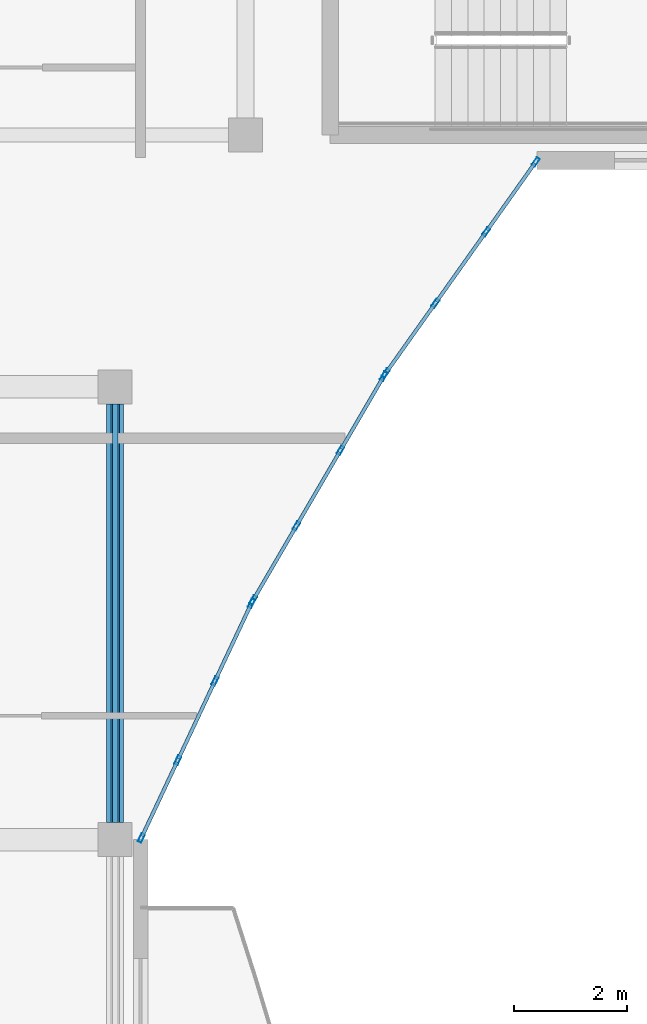
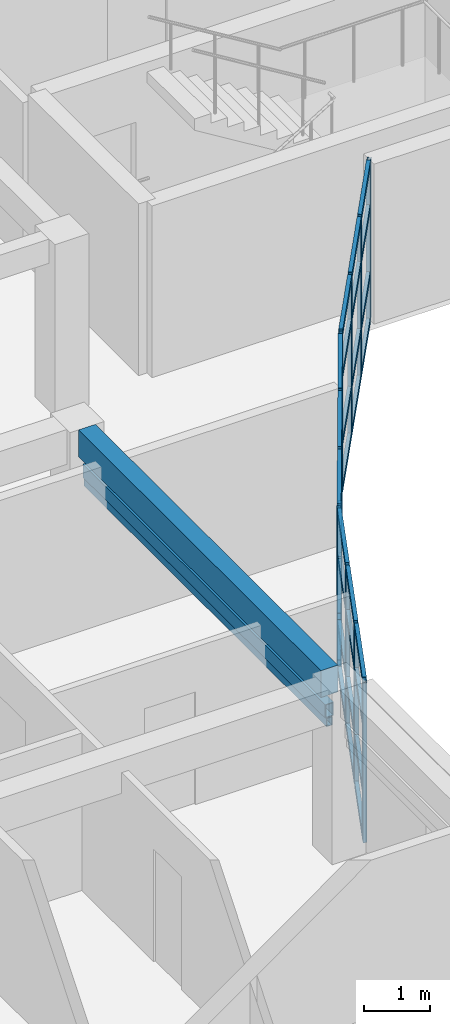
# One storey, part 3 of 76: 50 members, 1 beam, 3 elements without a shape of their own.
"""IFC4 building model written with IfcOpenShell, lengths in metres."""

from ifc_helpers import new_model, si_unit, direction, frame, origin, origin_2d, place, context, subcontext, project, spatial, rectangle, hollow_rectangle, extrude, material, layer, layer_set, material_profile, profile_set, type_object, element, aggregate, save


model = new_model("IFC4")

# Units and contexts
model_context = context("Model", 3, precision=1e-05, world=origin(), true_north=direction((0.0, 1.0)))
body_context = subcontext(model_context, "Body", "Model", "MODEL_VIEW")
ifc_project = project(units=[si_unit("LENGTHUNIT", "METRE"), si_unit("AREAUNIT", "SQUARE_METRE"), si_unit("VOLUMEUNIT", "CUBIC_METRE"), si_unit("PLANEANGLEUNIT", "RADIAN"), si_unit("MASSUNIT", "GRAM", prefix="KILO")], contexts=[model_context])

# Site, building, storey
site_placement = place(None, origin())
site = spatial("IfcSite", under=ifc_project, at=site_placement, CompositionType="ELEMENT")
building_placement = place(site_placement, origin())
building = spatial("IfcBuilding", under=site, at=building_placement, Name="Keldmere Railside Commons", CompositionType="ELEMENT")
storey_placement = place(building_placement, frame((0.0, 0.0, 13.760009765625)))
storey = spatial("IfcBuildingStorey", under=building, at=storey_placement, Name="L04", CompositionType="ELEMENT", Elevation=13.760009765625)

# Member
ifc_material_1 = material(Name="Steel F-36 (S355)", Category="steel")
ifc_material_profile_1 = material_profile(ifc_material_1, hollow_rectangle(XDim=0.14990234375, YDim=0.25, WallThickness=0.010009765625, at=origin_2d()), Name="RHS-250x150x10")
ifc_profile_set_1 = profile_set([ifc_material_profile_1], Name="Steel F-36 (S355)")
member_type_1 = type_object("IfcMemberType", Name="Balcony Continuous Planted Trough RHS250x150", PredefinedType="CHORD", material=ifc_profile_set_1)
member_1_placement = place(storey_placement, frame((23.550048828125, 88.300048828125, 2.4150390625), z_axis=(0.0, 1.0, 0.0), x_axis=(-1.0, 0.0, 0.0)))
element("IfcMember", 1, at=member_1_placement, inside=storey, type_object=member_type_1, Name="PLT-1 MEM-BPLT-0471", PredefinedType="CHORD", context=body_context, shape_type="SweptSolid", body=[
    extrude(hollow_rectangle(XDim=0.14990234375, YDim=0.25, WallThickness=0.010009765625, at=origin_2d()), origin(), (0.0, 0.0, 1.0), 7.39990234375),
])

# Beam
ifc_material_2 = material(Name="Concrete H-30 (C30/37)", Category="concrete")
ifc_material_profile_2 = material_profile(ifc_material_2, rectangle(XDim=0.300048828125, YDim=0.5, at=origin_2d()), Name="RC-300x500")
ifc_profile_set_2 = profile_set([ifc_material_profile_2], Name="Concrete H-30 (C30/37)")
beam_type = type_object("IfcBeamType", Name="Secondary Frame RC Beam 300x500", PredefinedType="BEAM", material=ifc_profile_set_2)
beam_placement = place(storey_placement, frame((23.550048828125, 88.300048828125, 2.949951171875), z_axis=(0.0, 1.0, 0.0), x_axis=(-1.0, 0.0, 0.0)))
element("IfcBeam", 2, at=beam_placement, inside=storey, type_object=beam_type, Name="BG-5 BM-L04-1617", PredefinedType="BEAM", context=body_context, shape_type="SweptSolid", body=[
    extrude(rectangle(XDim=0.300048828125, YDim=0.5, at=origin_2d()), origin(), (0.0, 0.0, 1.0), 7.39990234375),
])

# Member
ifc_material_profile_3 = material_profile(ifc_material_1, hollow_rectangle(XDim=0.10009765625, YDim=0.159912109375, WallThickness=0.008056640625, at=origin_2d()), Name="RHS-160x100x8")
ifc_profile_set_3 = profile_set([ifc_material_profile_3], Name="Steel F-36 (S355)")
member_type_2 = type_object("IfcMemberType", Name="Solar Brise-Soleil Louvre Fin RHS160x100", PredefinedType="STRUT", material=ifc_profile_set_3)
member_2_placement = place(storey_placement, frame((23.550048828125, 88.300048828125, 2.199951171875), z_axis=(0.0, 1.0, 0.0), x_axis=(-1.0, 0.0, 0.0)))
element("IfcMember", 3, at=member_2_placement, inside=storey, type_object=member_type_2, Name="BSF-1 MEM-BSF-0472", PredefinedType="STRUT", context=body_context, shape_type="SweptSolid", body=[
    extrude(hollow_rectangle(XDim=0.10009765625, YDim=0.159912109375, WallThickness=0.008056640625, at=origin_2d()), origin(), (0.0, 0.0, 1.0), 7.39990234375),
])

# Curtain wall, members
ifc_material_3 = material(Name="Thermally Broken Aluminium", Category="aluminium")
ifc_layer_1 = layer(ifc_material_3, 0.159912109375, Name="Court Chord Wintergarden CW 4800x2850")
ifc_layer_set_1 = layer_set([ifc_layer_1], Name="Thermally Broken Aluminium")
curtain_wall_type_1 = type_object("IfcCurtainWallType", Name="Court Chord Wintergarden CW 4800x2850", PredefinedType="NOTDEFINED", material=ifc_layer_set_1)
curtain_wall_1_placement = place(storey_placement, origin())
curtain_wall_1 = element("IfcCurtainWall", 4, at=curtain_wall_1_placement, inside=storey, type_object=curtain_wall_type_1, Name="CW-12 CW-L04-013", PredefinedType="NOTDEFINED")
ifc_material_profile_4 = material_profile(ifc_material_3, hollow_rectangle(XDim=0.06494140625, YDim=0.159912109375, WallThickness=0.00390625, at=origin_2d()), Name="ALU-MULL-65x160")
ifc_profile_set_4 = profile_set([ifc_material_profile_4], Name="Thermally Broken Aluminium")
member_type_3 = type_object("IfcMemberType", Name="Unitised Curtain Wall Mullion 65x160", PredefinedType="MULLION", material=ifc_profile_set_4)
member_3_placement = place(storey_placement, frame((25.958251953125, 92.173583984375, 0.0), z_axis=(0.0, 0.0, 1.0), x_axis=(0.905306255478, -0.424759442264, 0.0)))
member_3 = element("IfcMember", 5, at=member_3_placement, type_object=member_type_3, Name="CW-12 mullion 1", PredefinedType="MULLION", context=body_context, shape_type="SweptSolid", body=[
    extrude(hollow_rectangle(XDim=0.06494140625, YDim=0.159912109375, WallThickness=0.00390625, at=origin_2d()), origin(), (0.0, 0.0, 1.0), 2.97998046875),
])
member_4_placement = place(storey_placement, frame((25.314697265625, 90.802001953125, 0.0), z_axis=(0.0, 0.0, 1.0), x_axis=(0.905306255478, -0.424759442264, 0.0)))
member_4 = element("IfcMember", 6, at=member_4_placement, type_object=member_type_3, Name="CW-12 mullion 2", PredefinedType="MULLION", context=body_context, shape_type="SweptSolid", body=[
    extrude(hollow_rectangle(XDim=0.06494140625, YDim=0.159912109375, WallThickness=0.00390625, at=origin_2d()), origin(), (0.0, 0.0, 1.0), 2.97998046875),
])
member_5_placement = place(storey_placement, frame((24.6572265625, 89.40087890625, 0.0), z_axis=(0.0, 0.0, 1.0), x_axis=(0.905306255478, -0.424759442264, 0.0)))
member_5 = element("IfcMember", 7, at=member_5_placement, type_object=member_type_3, Name="CW-12 mullion 3", PredefinedType="MULLION", context=body_context, shape_type="SweptSolid", body=[
    extrude(hollow_rectangle(XDim=0.06494140625, YDim=0.159912109375, WallThickness=0.00390625, at=origin_2d()), origin(), (0.0, 0.0, 1.0), 2.97998046875),
])
member_6_placement = place(storey_placement, frame((24.013916015625, 88.029541015625, 0.0), z_axis=(0.0, 0.0, 1.0), x_axis=(0.905306255478, -0.424759442264, 0.0)))
member_6 = element("IfcMember", 8, at=member_6_placement, type_object=member_type_3, Name="CW-12 mullion 4", PredefinedType="MULLION", context=body_context, shape_type="SweptSolid", body=[
    extrude(hollow_rectangle(XDim=0.06494140625, YDim=0.159912109375, WallThickness=0.00390625, at=origin_2d()), origin(), (0.0, 0.0, 1.0), 2.97998046875),
])

ifc_layer_2 = layer(ifc_material_3, 0.159912109375, Name="Court Chord Wintergarden CW 5400x2850")
ifc_layer_set_2 = layer_set([ifc_layer_2], Name="Thermally Broken Aluminium")
curtain_wall_type_2 = type_object("IfcCurtainWallType", Name="Court Chord Wintergarden CW 5400x2850", PredefinedType="NOTDEFINED", material=ifc_layer_set_2)
curtain_wall_2_placement = place(storey_placement, origin())
curtain_wall_2 = element("IfcCurtainWall", 9, at=curtain_wall_2_placement, inside=storey, type_object=curtain_wall_type_2, Name="CW-13 CW-L04-014", PredefinedType="NOTDEFINED")
member_7_placement = place(storey_placement, frame((28.295654296875, 96.18603515625, 0.0), z_axis=(0.0, 0.0, 1.0), x_axis=(0.86375546846, -0.503911193272, 0.0)))
member_7 = element("IfcMember", 10, at=member_7_placement, type_object=member_type_3, Name="CW-13 mullion 1", PredefinedType="MULLION", context=body_context, shape_type="SweptSolid", body=[
    extrude(hollow_rectangle(XDim=0.06494140625, YDim=0.159912109375, WallThickness=0.00390625, at=origin_2d()), origin(), (0.0, 0.0, 1.0), 2.97998046875),
])
member_8_placement = place(storey_placement, frame((27.531982421875, 94.876953125, 0.0), z_axis=(0.0, 0.0, 1.0), x_axis=(0.86375546846, -0.503911193272, 0.0)))
member_8 = element("IfcMember", 11, at=member_8_placement, type_object=member_type_3, Name="CW-13 mullion 2", PredefinedType="MULLION", context=body_context, shape_type="SweptSolid", body=[
    extrude(hollow_rectangle(XDim=0.06494140625, YDim=0.159912109375, WallThickness=0.00390625, at=origin_2d()), origin(), (0.0, 0.0, 1.0), 2.97998046875),
])
member_9_placement = place(storey_placement, frame((26.751953125, 93.5400390625, 0.0), z_axis=(0.0, 0.0, 1.0), x_axis=(0.86375546846, -0.503911193272, 0.0)))
member_9 = element("IfcMember", 12, at=member_9_placement, type_object=member_type_3, Name="CW-13 mullion 3", PredefinedType="MULLION", context=body_context, shape_type="SweptSolid", body=[
    extrude(hollow_rectangle(XDim=0.06494140625, YDim=0.159912109375, WallThickness=0.00390625, at=origin_2d()), origin(), (0.0, 0.0, 1.0), 2.97998046875),
])
member_10_placement = place(storey_placement, frame((25.98828125, 92.23095703125, 0.0), z_axis=(0.0, 0.0, 1.0), x_axis=(0.86375546846, -0.503911193272, 0.0)))
member_10 = element("IfcMember", 13, at=member_10_placement, type_object=member_type_3, Name="CW-13 mullion 4", PredefinedType="MULLION", context=body_context, shape_type="SweptSolid", body=[
    extrude(hollow_rectangle(XDim=0.06494140625, YDim=0.159912109375, WallThickness=0.00390625, at=origin_2d()), origin(), (0.0, 0.0, 1.0), 2.97998046875),
])

curtain_wall_3_placement = place(storey_placement, origin())
curtain_wall_3 = element("IfcCurtainWall", 14, at=curtain_wall_3_placement, inside=storey, type_object=curtain_wall_type_1, Name="CW-12 CW-L04-015", PredefinedType="NOTDEFINED")
member_11_placement = place(storey_placement, frame((30.981201171875, 99.973388671875, 0.0), z_axis=(0.0, 0.0, 1.0), x_axis=(0.815389084395, -0.578913327753, 0.0)))
member_11 = element("IfcMember", 15, at=member_11_placement, type_object=member_type_3, Name="CW-12 mullion 1", PredefinedType="MULLION", context=body_context, shape_type="SweptSolid", body=[
    extrude(hollow_rectangle(XDim=0.06494140625, YDim=0.159912109375, WallThickness=0.00390625, at=origin_2d()), origin(), (0.0, 0.0, 1.0), 2.97998046875),
])
member_12_placement = place(storey_placement, frame((30.10400390625, 98.738037109375, 0.0), z_axis=(0.0, 0.0, 1.0), x_axis=(0.815389084395, -0.578913327753, 0.0)))
member_12 = element("IfcMember", 16, at=member_12_placement, type_object=member_type_3, Name="CW-12 mullion 2", PredefinedType="MULLION", context=body_context, shape_type="SweptSolid", body=[
    extrude(hollow_rectangle(XDim=0.06494140625, YDim=0.159912109375, WallThickness=0.00390625, at=origin_2d()), origin(), (0.0, 0.0, 1.0), 2.97998046875),
])
member_13_placement = place(storey_placement, frame((29.2080078125, 97.47607421875, 0.0), z_axis=(0.0, 0.0, 1.0), x_axis=(0.815389084395, -0.578913327753, 0.0)))
member_13 = element("IfcMember", 17, at=member_13_placement, type_object=member_type_3, Name="CW-12 mullion 3", PredefinedType="MULLION", context=body_context, shape_type="SweptSolid", body=[
    extrude(hollow_rectangle(XDim=0.06494140625, YDim=0.159912109375, WallThickness=0.00390625, at=origin_2d()), origin(), (0.0, 0.0, 1.0), 2.97998046875),
])
member_14_placement = place(storey_placement, frame((28.330810546875, 96.240478515625, 0.0), z_axis=(0.0, 0.0, 1.0), x_axis=(0.815389084395, -0.578913327753, 0.0)))
member_14 = element("IfcMember", 18, at=member_14_placement, type_object=member_type_3, Name="CW-12 mullion 4", PredefinedType="MULLION", context=body_context, shape_type="SweptSolid", body=[
    extrude(hollow_rectangle(XDim=0.06494140625, YDim=0.159912109375, WallThickness=0.00390625, at=origin_2d()), origin(), (0.0, 0.0, 1.0), 2.97998046875),
])

# Member
ifc_material_profile_5 = material_profile(ifc_material_3, hollow_rectangle(XDim=0.06494140625, YDim=0.1201171875, WallThickness=0.00390625, at=origin_2d()), Name="ALU-TRAN-65x120")
ifc_profile_set_5 = profile_set([ifc_material_profile_5], Name="Thermally Broken Aluminium")
member_type_4 = type_object("IfcMemberType", Name="Unitised Curtain Wall Transom 65x120", PredefinedType="USERDEFINED", material=ifc_profile_set_5)
member_15_placement = place(storey_placement, frame((25.9443359375, 92.14404296875, 0.032470703125), z_axis=(-0.424847998455, -0.905264700631, 0.0), x_axis=(0.905264700631, -0.424847998455, 0.0)))
member_15 = element("IfcMember", 19, at=member_15_placement, type_object=member_type_4, Name="CW-12 transom 1.1", ObjectType="TRANSOM", PredefinedType="USERDEFINED", context=body_context, shape_type="SweptSolid", body=[
    extrude(hollow_rectangle(XDim=0.06494140625, YDim=0.1201171875, WallThickness=0.00390625, at=origin_2d()), origin(), (0.0, 0.0, 1.0), 1.449951171875),
])

member_16_placement = place(storey_placement, frame((25.9443359375, 92.14404296875, 0.89990234375), z_axis=(-0.424847998455, -0.905264700631, 0.0), x_axis=(0.905264700631, -0.424847998455, 0.0)))
member_16 = element("IfcMember", 20, at=member_16_placement, type_object=member_type_4, Name="CW-12 transom 1.2", ObjectType="TRANSOM", PredefinedType="USERDEFINED", context=body_context, shape_type="SweptSolid", body=[
    extrude(hollow_rectangle(XDim=0.06494140625, YDim=0.1201171875, WallThickness=0.00390625, at=origin_2d()), origin(), (0.0, 0.0, 1.0), 1.449951171875),
])

member_17_placement = place(storey_placement, frame((25.9443359375, 92.14404296875, 2.14990234375), z_axis=(-0.424847998455, -0.905264700631, 0.0), x_axis=(0.905264700631, -0.424847998455, 0.0)))
member_17 = element("IfcMember", 21, at=member_17_placement, type_object=member_type_4, Name="CW-12 transom 1.3", ObjectType="TRANSOM", PredefinedType="USERDEFINED", context=body_context, shape_type="SweptSolid", body=[
    extrude(hollow_rectangle(XDim=0.06494140625, YDim=0.1201171875, WallThickness=0.00390625, at=origin_2d()), origin(), (0.0, 0.0, 1.0), 1.449951171875),
])

member_18_placement = place(storey_placement, frame((25.9443359375, 92.14404296875, 2.947509765625), z_axis=(-0.424847998455, -0.905264700631, 0.0), x_axis=(0.905264700631, -0.424847998455, 0.0)))
member_18 = element("IfcMember", 22, at=member_18_placement, type_object=member_type_4, Name="CW-12 transom 1.4", ObjectType="TRANSOM", PredefinedType="USERDEFINED", context=body_context, shape_type="SweptSolid", body=[
    extrude(hollow_rectangle(XDim=0.06494140625, YDim=0.1201171875, WallThickness=0.00390625, at=origin_2d()), origin(), (0.0, 0.0, 1.0), 1.449951171875),
])

member_19_placement = place(storey_placement, frame((25.30078125, 90.7724609375, 0.032470703125), z_axis=(-0.424741875375, -0.905314497455, 0.0), x_axis=(0.905314497455, -0.424741875375, 0.0)))
member_19 = element("IfcMember", 23, at=member_19_placement, type_object=member_type_4, Name="CW-12 transom 2.1", ObjectType="TRANSOM", PredefinedType="USERDEFINED", context=body_context, shape_type="SweptSolid", body=[
    extrude(hollow_rectangle(XDim=0.06494140625, YDim=0.1201171875, WallThickness=0.00390625, at=origin_2d()), origin(), (0.0, 0.0, 1.0), 1.482421875),
])

member_20_placement = place(storey_placement, frame((25.30078125, 90.7724609375, 0.89990234375), z_axis=(-0.424741875375, -0.905314497455, 0.0), x_axis=(0.905314497455, -0.424741875375, 0.0)))
member_20 = element("IfcMember", 24, at=member_20_placement, type_object=member_type_4, Name="CW-12 transom 2.2", ObjectType="TRANSOM", PredefinedType="USERDEFINED", context=body_context, shape_type="SweptSolid", body=[
    extrude(hollow_rectangle(XDim=0.06494140625, YDim=0.1201171875, WallThickness=0.00390625, at=origin_2d()), origin(), (0.0, 0.0, 1.0), 1.482421875),
])

member_21_placement = place(storey_placement, frame((25.30078125, 90.7724609375, 2.14990234375), z_axis=(-0.424741875375, -0.905314497455, 0.0), x_axis=(0.905314497455, -0.424741875375, 0.0)))
member_21 = element("IfcMember", 25, at=member_21_placement, type_object=member_type_4, Name="CW-12 transom 2.3", ObjectType="TRANSOM", PredefinedType="USERDEFINED", context=body_context, shape_type="SweptSolid", body=[
    extrude(hollow_rectangle(XDim=0.06494140625, YDim=0.1201171875, WallThickness=0.00390625, at=origin_2d()), origin(), (0.0, 0.0, 1.0), 1.482421875),
])

member_22_placement = place(storey_placement, frame((25.30078125, 90.7724609375, 2.947509765625), z_axis=(-0.424741875375, -0.905314497455, 0.0), x_axis=(0.905314497455, -0.424741875375, 0.0)))
member_22 = element("IfcMember", 26, at=member_22_placement, type_object=member_type_4, Name="CW-12 transom 2.4", ObjectType="TRANSOM", PredefinedType="USERDEFINED", context=body_context, shape_type="SweptSolid", body=[
    extrude(hollow_rectangle(XDim=0.06494140625, YDim=0.1201171875, WallThickness=0.00390625, at=origin_2d()), origin(), (0.0, 0.0, 1.0), 1.482421875),
])

member_23_placement = place(storey_placement, frame((24.6435546875, 89.37158203125, 0.032470703125), z_axis=(-0.424783244458, -0.905295087376, 0.0), x_axis=(0.905295087376, -0.424783244458, 0.0)))
member_23 = element("IfcMember", 27, at=member_23_placement, type_object=member_type_4, Name="CW-12 transom 3.1", ObjectType="TRANSOM", PredefinedType="USERDEFINED", context=body_context, shape_type="SweptSolid", body=[
    extrude(hollow_rectangle(XDim=0.06494140625, YDim=0.1201171875, WallThickness=0.00390625, at=origin_2d()), origin(), (0.0, 0.0, 1.0), 1.449951171875),
])

member_24_placement = place(storey_placement, frame((24.6435546875, 89.37158203125, 0.89990234375), z_axis=(-0.424783244458, -0.905295087376, 0.0), x_axis=(0.905295087376, -0.424783244458, 0.0)))
member_24 = element("IfcMember", 28, at=member_24_placement, type_object=member_type_4, Name="CW-12 transom 3.2", ObjectType="TRANSOM", PredefinedType="USERDEFINED", context=body_context, shape_type="SweptSolid", body=[
    extrude(hollow_rectangle(XDim=0.06494140625, YDim=0.1201171875, WallThickness=0.00390625, at=origin_2d()), origin(), (0.0, 0.0, 1.0), 1.449951171875),
])

member_25_placement = place(storey_placement, frame((24.6435546875, 89.37158203125, 2.14990234375), z_axis=(-0.424783244458, -0.905295087376, 0.0), x_axis=(0.905295087376, -0.424783244458, 0.0)))
member_25 = element("IfcMember", 29, at=member_25_placement, type_object=member_type_4, Name="CW-12 transom 3.3", ObjectType="TRANSOM", PredefinedType="USERDEFINED", context=body_context, shape_type="SweptSolid", body=[
    extrude(hollow_rectangle(XDim=0.06494140625, YDim=0.1201171875, WallThickness=0.00390625, at=origin_2d()), origin(), (0.0, 0.0, 1.0), 1.449951171875),
])

member_26_placement = place(storey_placement, frame((24.6435546875, 89.37158203125, 2.947509765625), z_axis=(-0.424783244458, -0.905295087376, 0.0), x_axis=(0.905295087376, -0.424783244458, 0.0)))
member_26 = element("IfcMember", 30, at=member_26_placement, type_object=member_type_4, Name="CW-12 transom 3.4", ObjectType="TRANSOM", PredefinedType="USERDEFINED", context=body_context, shape_type="SweptSolid", body=[
    extrude(hollow_rectangle(XDim=0.06494140625, YDim=0.1201171875, WallThickness=0.00390625, at=origin_2d()), origin(), (0.0, 0.0, 1.0), 1.449951171875),
])

aggregate(curtain_wall_1, [member_3, member_4, member_5, member_6, member_15, member_16, member_17, member_18, member_19, member_20, member_21, member_22, member_23, member_24, member_25, member_26])

member_27_placement = place(storey_placement, frame((28.279296875, 96.157958984375, 0.032470703125), z_axis=(-0.503912883812, -0.863754482205, 0.0), x_axis=(0.863754482205, -0.503912883812, 0.0)))
member_27 = element("IfcMember", 31, at=member_27_placement, type_object=member_type_4, Name="CW-13 transom 1.1", ObjectType="TRANSOM", PredefinedType="USERDEFINED", context=body_context, shape_type="SweptSolid", body=[
    extrude(hollow_rectangle(XDim=0.06494140625, YDim=0.1201171875, WallThickness=0.00390625, at=origin_2d()), origin(), (0.0, 0.0, 1.0), 1.45068359375),
])

member_28_placement = place(storey_placement, frame((28.279296875, 96.157958984375, 0.89990234375), z_axis=(-0.503912883812, -0.863754482205, 0.0), x_axis=(0.863754482205, -0.503912883812, 0.0)))
member_28 = element("IfcMember", 32, at=member_28_placement, type_object=member_type_4, Name="CW-13 transom 1.2", ObjectType="TRANSOM", PredefinedType="USERDEFINED", context=body_context, shape_type="SweptSolid", body=[
    extrude(hollow_rectangle(XDim=0.06494140625, YDim=0.1201171875, WallThickness=0.00390625, at=origin_2d()), origin(), (0.0, 0.0, 1.0), 1.45068359375),
])

member_29_placement = place(storey_placement, frame((28.279296875, 96.157958984375, 2.14990234375), z_axis=(-0.503912883812, -0.863754482205, 0.0), x_axis=(0.863754482205, -0.503912883812, 0.0)))
member_29 = element("IfcMember", 33, at=member_29_placement, type_object=member_type_4, Name="CW-13 transom 1.3", ObjectType="TRANSOM", PredefinedType="USERDEFINED", context=body_context, shape_type="SweptSolid", body=[
    extrude(hollow_rectangle(XDim=0.06494140625, YDim=0.1201171875, WallThickness=0.00390625, at=origin_2d()), origin(), (0.0, 0.0, 1.0), 1.45068359375),
])

member_30_placement = place(storey_placement, frame((28.279296875, 96.157958984375, 2.947509765625), z_axis=(-0.503912883812, -0.863754482205, 0.0), x_axis=(0.863754482205, -0.503912883812, 0.0)))
member_30 = element("IfcMember", 34, at=member_30_placement, type_object=member_type_4, Name="CW-13 transom 1.4", ObjectType="TRANSOM", PredefinedType="USERDEFINED", context=body_context, shape_type="SweptSolid", body=[
    extrude(hollow_rectangle(XDim=0.06494140625, YDim=0.1201171875, WallThickness=0.00390625, at=origin_2d()), origin(), (0.0, 0.0, 1.0), 1.45068359375),
])

member_31_placement = place(storey_placement, frame((27.515625, 94.848876953125, 0.032470703125), z_axis=(-0.503973390927, -0.863719179616, 0.0), x_axis=(0.863719179616, -0.503973390927, 0.0)))
member_31 = element("IfcMember", 35, at=member_31_placement, type_object=member_type_4, Name="CW-13 transom 2.1", ObjectType="TRANSOM", PredefinedType="USERDEFINED", context=body_context, shape_type="SweptSolid", body=[
    extrude(hollow_rectangle(XDim=0.06494140625, YDim=0.1201171875, WallThickness=0.00390625, at=origin_2d()), origin(), (0.0, 0.0, 1.0), 1.48291015625),
])

member_32_placement = place(storey_placement, frame((27.515625, 94.848876953125, 0.89990234375), z_axis=(-0.503973390927, -0.863719179616, 0.0), x_axis=(0.863719179616, -0.503973390927, 0.0)))
member_32 = element("IfcMember", 36, at=member_32_placement, type_object=member_type_4, Name="CW-13 transom 2.2", ObjectType="TRANSOM", PredefinedType="USERDEFINED", context=body_context, shape_type="SweptSolid", body=[
    extrude(hollow_rectangle(XDim=0.06494140625, YDim=0.1201171875, WallThickness=0.00390625, at=origin_2d()), origin(), (0.0, 0.0, 1.0), 1.48291015625),
])

member_33_placement = place(storey_placement, frame((27.515625, 94.848876953125, 2.14990234375), z_axis=(-0.503973390927, -0.863719179616, 0.0), x_axis=(0.863719179616, -0.503973390927, 0.0)))
member_33 = element("IfcMember", 37, at=member_33_placement, type_object=member_type_4, Name="CW-13 transom 2.3", ObjectType="TRANSOM", PredefinedType="USERDEFINED", context=body_context, shape_type="SweptSolid", body=[
    extrude(hollow_rectangle(XDim=0.06494140625, YDim=0.1201171875, WallThickness=0.00390625, at=origin_2d()), origin(), (0.0, 0.0, 1.0), 1.48291015625),
])

member_34_placement = place(storey_placement, frame((27.515625, 94.848876953125, 2.947509765625), z_axis=(-0.503973390927, -0.863719179616, 0.0), x_axis=(0.863719179616, -0.503973390927, 0.0)))
member_34 = element("IfcMember", 38, at=member_34_placement, type_object=member_type_4, Name="CW-13 transom 2.4", ObjectType="TRANSOM", PredefinedType="USERDEFINED", context=body_context, shape_type="SweptSolid", body=[
    extrude(hollow_rectangle(XDim=0.06494140625, YDim=0.1201171875, WallThickness=0.00390625, at=origin_2d()), origin(), (0.0, 0.0, 1.0), 1.48291015625),
])

member_35_placement = place(storey_placement, frame((26.735595703125, 93.511962890625, 0.032470703125), z_axis=(-0.503912883812, -0.863754482205, 0.0), x_axis=(0.863754482205, -0.503912883812, 0.0)))
member_35 = element("IfcMember", 39, at=member_35_placement, type_object=member_type_4, Name="CW-13 transom 3.1", ObjectType="TRANSOM", PredefinedType="USERDEFINED", context=body_context, shape_type="SweptSolid", body=[
    extrude(hollow_rectangle(XDim=0.06494140625, YDim=0.1201171875, WallThickness=0.00390625, at=origin_2d()), origin(), (0.0, 0.0, 1.0), 1.45068359375),
])

member_36_placement = place(storey_placement, frame((26.735595703125, 93.511962890625, 0.89990234375), z_axis=(-0.503912883812, -0.863754482205, 0.0), x_axis=(0.863754482205, -0.503912883812, 0.0)))
member_36 = element("IfcMember", 40, at=member_36_placement, type_object=member_type_4, Name="CW-13 transom 3.2", ObjectType="TRANSOM", PredefinedType="USERDEFINED", context=body_context, shape_type="SweptSolid", body=[
    extrude(hollow_rectangle(XDim=0.06494140625, YDim=0.1201171875, WallThickness=0.00390625, at=origin_2d()), origin(), (0.0, 0.0, 1.0), 1.45068359375),
])

member_37_placement = place(storey_placement, frame((26.735595703125, 93.511962890625, 2.14990234375), z_axis=(-0.503912883812, -0.863754482205, 0.0), x_axis=(0.863754482205, -0.503912883812, 0.0)))
member_37 = element("IfcMember", 41, at=member_37_placement, type_object=member_type_4, Name="CW-13 transom 3.3", ObjectType="TRANSOM", PredefinedType="USERDEFINED", context=body_context, shape_type="SweptSolid", body=[
    extrude(hollow_rectangle(XDim=0.06494140625, YDim=0.1201171875, WallThickness=0.00390625, at=origin_2d()), origin(), (0.0, 0.0, 1.0), 1.45068359375),
])

member_38_placement = place(storey_placement, frame((26.735595703125, 93.511962890625, 2.947509765625), z_axis=(-0.503912883812, -0.863754482205, 0.0), x_axis=(0.863754482205, -0.503912883812, 0.0)))
member_38 = element("IfcMember", 42, at=member_38_placement, type_object=member_type_4, Name="CW-13 transom 3.4", ObjectType="TRANSOM", PredefinedType="USERDEFINED", context=body_context, shape_type="SweptSolid", body=[
    extrude(hollow_rectangle(XDim=0.06494140625, YDim=0.1201171875, WallThickness=0.00390625, at=origin_2d()), origin(), (0.0, 0.0, 1.0), 1.45068359375),
])

aggregate(curtain_wall_2, [member_7, member_8, member_9, member_10, member_27, member_28, member_29, member_30, member_31, member_32, member_33, member_34, member_35, member_36, member_37, member_38])

member_39_placement = place(storey_placement, frame((30.96240234375, 99.947021484375, 0.032470703125), z_axis=(-0.578895059002, -0.815402054611, 0.0), x_axis=(0.815402054611, -0.578895059002, 0.0)))
member_39 = element("IfcMember", 43, at=member_39_placement, type_object=member_type_4, Name="CW-12 transom 1.1", ObjectType="TRANSOM", PredefinedType="USERDEFINED", context=body_context, shape_type="SweptSolid", body=[
    extrude(hollow_rectangle(XDim=0.06494140625, YDim=0.1201171875, WallThickness=0.00390625, at=origin_2d()), origin(), (0.0, 0.0, 1.0), 1.450439453125),
])

member_40_placement = place(storey_placement, frame((30.96240234375, 99.947021484375, 0.89990234375), z_axis=(-0.578895059002, -0.815402054611, 0.0), x_axis=(0.815402054611, -0.578895059002, 0.0)))
member_40 = element("IfcMember", 44, at=member_40_placement, type_object=member_type_4, Name="CW-12 transom 1.2", ObjectType="TRANSOM", PredefinedType="USERDEFINED", context=body_context, shape_type="SweptSolid", body=[
    extrude(hollow_rectangle(XDim=0.06494140625, YDim=0.1201171875, WallThickness=0.00390625, at=origin_2d()), origin(), (0.0, 0.0, 1.0), 1.450439453125),
])

member_41_placement = place(storey_placement, frame((30.96240234375, 99.947021484375, 2.14990234375), z_axis=(-0.578895059002, -0.815402054611, 0.0), x_axis=(0.815402054611, -0.578895059002, 0.0)))
member_41 = element("IfcMember", 45, at=member_41_placement, type_object=member_type_4, Name="CW-12 transom 1.3", ObjectType="TRANSOM", PredefinedType="USERDEFINED", context=body_context, shape_type="SweptSolid", body=[
    extrude(hollow_rectangle(XDim=0.06494140625, YDim=0.1201171875, WallThickness=0.00390625, at=origin_2d()), origin(), (0.0, 0.0, 1.0), 1.450439453125),
])

member_42_placement = place(storey_placement, frame((30.96240234375, 99.947021484375, 2.947509765625), z_axis=(-0.578895059002, -0.815402054611, 0.0), x_axis=(0.815402054611, -0.578895059002, 0.0)))
member_42 = element("IfcMember", 46, at=member_42_placement, type_object=member_type_4, Name="CW-12 transom 1.4", ObjectType="TRANSOM", PredefinedType="USERDEFINED", context=body_context, shape_type="SweptSolid", body=[
    extrude(hollow_rectangle(XDim=0.06494140625, YDim=0.1201171875, WallThickness=0.00390625, at=origin_2d()), origin(), (0.0, 0.0, 1.0), 1.450439453125),
])

member_43_placement = place(storey_placement, frame((30.085205078125, 98.71142578125, 0.032470703125), z_axis=(-0.578930676765, -0.815376766593, 0.0), x_axis=(0.815376766593, -0.578930676765, 0.0)))
member_43 = element("IfcMember", 47, at=member_43_placement, type_object=member_type_4, Name="CW-12 transom 2.1", ObjectType="TRANSOM", PredefinedType="USERDEFINED", context=body_context, shape_type="SweptSolid", body=[
    extrude(hollow_rectangle(XDim=0.06494140625, YDim=0.1201171875, WallThickness=0.00390625, at=origin_2d()), origin(), (0.0, 0.0, 1.0), 1.482666015625),
])

member_44_placement = place(storey_placement, frame((30.085205078125, 98.71142578125, 0.89990234375), z_axis=(-0.578930676765, -0.815376766593, 0.0), x_axis=(0.815376766593, -0.578930676765, 0.0)))
member_44 = element("IfcMember", 48, at=member_44_placement, type_object=member_type_4, Name="CW-12 transom 2.2", ObjectType="TRANSOM", PredefinedType="USERDEFINED", context=body_context, shape_type="SweptSolid", body=[
    extrude(hollow_rectangle(XDim=0.06494140625, YDim=0.1201171875, WallThickness=0.00390625, at=origin_2d()), origin(), (0.0, 0.0, 1.0), 1.482666015625),
])

member_45_placement = place(storey_placement, frame((30.085205078125, 98.71142578125, 2.14990234375), z_axis=(-0.578930676765, -0.815376766593, 0.0), x_axis=(0.815376766593, -0.578930676765, 0.0)))
member_45 = element("IfcMember", 49, at=member_45_placement, type_object=member_type_4, Name="CW-12 transom 2.3", ObjectType="TRANSOM", PredefinedType="USERDEFINED", context=body_context, shape_type="SweptSolid", body=[
    extrude(hollow_rectangle(XDim=0.06494140625, YDim=0.1201171875, WallThickness=0.00390625, at=origin_2d()), origin(), (0.0, 0.0, 1.0), 1.482666015625),
])

member_46_placement = place(storey_placement, frame((30.085205078125, 98.71142578125, 2.947509765625), z_axis=(-0.578930676765, -0.815376766593, 0.0), x_axis=(0.815376766593, -0.578930676765, 0.0)))
member_46 = element("IfcMember", 50, at=member_46_placement, type_object=member_type_4, Name="CW-12 transom 2.4", ObjectType="TRANSOM", PredefinedType="USERDEFINED", context=body_context, shape_type="SweptSolid", body=[
    extrude(hollow_rectangle(XDim=0.06494140625, YDim=0.1201171875, WallThickness=0.00390625, at=origin_2d()), origin(), (0.0, 0.0, 1.0), 1.482666015625),
])

member_47_placement = place(storey_placement, frame((29.189208984375, 97.449462890625, 0.032470703125), z_axis=(-0.578974525468, -0.815345631533, 0.0), x_axis=(0.815345631533, -0.578974525468, 0.0)))
member_47 = element("IfcMember", 51, at=member_47_placement, type_object=member_type_4, Name="CW-12 transom 3.1", ObjectType="TRANSOM", PredefinedType="USERDEFINED", context=body_context, shape_type="SweptSolid", body=[
    extrude(hollow_rectangle(XDim=0.06494140625, YDim=0.1201171875, WallThickness=0.00390625, at=origin_2d()), origin(), (0.0, 0.0, 1.0), 1.4501953125),
])

member_48_placement = place(storey_placement, frame((29.189208984375, 97.449462890625, 0.89990234375), z_axis=(-0.578974525468, -0.815345631533, 0.0), x_axis=(0.815345631533, -0.578974525468, 0.0)))
member_48 = element("IfcMember", 52, at=member_48_placement, type_object=member_type_4, Name="CW-12 transom 3.2", ObjectType="TRANSOM", PredefinedType="USERDEFINED", context=body_context, shape_type="SweptSolid", body=[
    extrude(hollow_rectangle(XDim=0.06494140625, YDim=0.1201171875, WallThickness=0.00390625, at=origin_2d()), origin(), (0.0, 0.0, 1.0), 1.4501953125),
])

member_49_placement = place(storey_placement, frame((29.189208984375, 97.449462890625, 2.14990234375), z_axis=(-0.578974525468, -0.815345631533, 0.0), x_axis=(0.815345631533, -0.578974525468, 0.0)))
member_49 = element("IfcMember", 53, at=member_49_placement, type_object=member_type_4, Name="CW-12 transom 3.3", ObjectType="TRANSOM", PredefinedType="USERDEFINED", context=body_context, shape_type="SweptSolid", body=[
    extrude(hollow_rectangle(XDim=0.06494140625, YDim=0.1201171875, WallThickness=0.00390625, at=origin_2d()), origin(), (0.0, 0.0, 1.0), 1.4501953125),
])

member_50_placement = place(storey_placement, frame((29.189208984375, 97.449462890625, 2.947509765625), z_axis=(-0.578974525468, -0.815345631533, 0.0), x_axis=(0.815345631533, -0.578974525468, 0.0)))
member_50 = element("IfcMember", 54, at=member_50_placement, type_object=member_type_4, Name="CW-12 transom 3.4", ObjectType="TRANSOM", PredefinedType="USERDEFINED", context=body_context, shape_type="SweptSolid", body=[
    extrude(hollow_rectangle(XDim=0.06494140625, YDim=0.1201171875, WallThickness=0.00390625, at=origin_2d()), origin(), (0.0, 0.0, 1.0), 1.4501953125),
])

aggregate(curtain_wall_3, [member_11, member_12, member_13, member_14, member_39, member_40, member_41, member_42, member_43, member_44, member_45, member_46, member_47, member_48, member_49, member_50])

save(model, "model.ifc")
